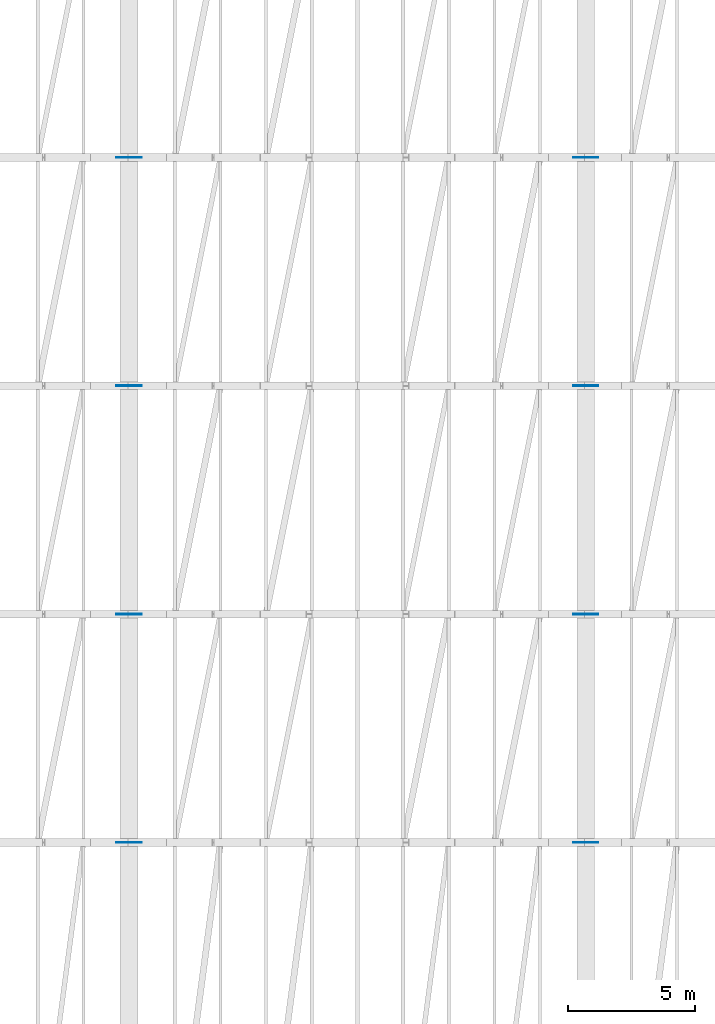
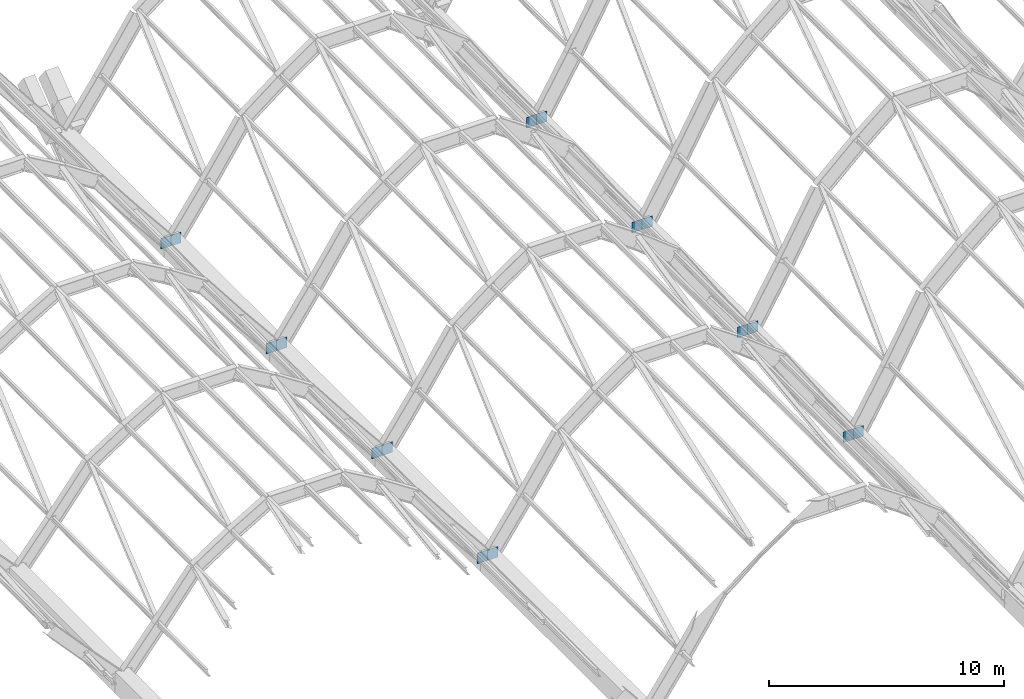
# One storey, part 70 of 86: 16 plates.
"""IFC4 building model written with IfcOpenShell, lengths in metres."""

from ifc_helpers import new_model, si_unit, direction, frame, origin, origin_2d, place, context, subcontext, project, spatial, rectangle, extrude, material, layer, layer_set, type_object, element, save


model = new_model("IFC4")

# Units and contexts
model_context = context("Model", 3, precision=1e-05, world=origin(), true_north=direction((0.0, 1.0)))
body_context = subcontext(model_context, "Body", "Model", "MODEL_VIEW")
ifc_project = project(units=[si_unit("LENGTHUNIT", "METRE"), si_unit("AREAUNIT", "SQUARE_METRE"), si_unit("VOLUMEUNIT", "CUBIC_METRE"), si_unit("PLANEANGLEUNIT", "RADIAN"), si_unit("MASSUNIT", "GRAM", prefix="KILO")], contexts=[model_context])

# Site, building, storey
site_placement = place(None, origin())
site = spatial("IfcSite", under=ifc_project, at=site_placement, CompositionType="ELEMENT")
building_placement = place(site_placement, origin())
building = spatial("IfcBuilding", under=site, at=building_placement, Name="Chuanluo Vaults Station", CompositionType="ELEMENT")
storey_placement = place(building_placement, frame((0.0, 0.0, 14.39990234375)))
storey = spatial("IfcBuildingStorey", under=building, at=storey_placement, Name="L03", CompositionType="ELEMENT", Elevation=14.39990234375)

# Plates
ifc_material = material(Name="Steel Q390C", Category="steel")
ifc_layer = layer(ifc_material, 0.028076171875)
ifc_layer_set = layer_set([ifc_layer], Name="Steel Q390C")
plate_type = type_object("IfcPlateType", Name="PLT-GUS-28", PredefinedType="USERDEFINED", material=ifc_layer_set)
for number, where, z_axis, x_axis, name in (
    (1, (35.75, 67.5, -0.875), (0.0, 0.0, 1.0), (1.0, 0.0, 0.0), "Vault V2 skewback node plate 5-E"),
    (2, (35.75, 76.5, -0.875), (0.0, 0.0, 1.0), (1.0, 0.0, 0.0), "Vault V2 skewback node plate 6-E"),
    (3, (35.75, 85.5, -0.875), (0.0, 0.0, 1.0), (1.0, 0.0, 0.0), "Vault V2 skewback node plate 7-E"),
    (4, (35.75, 94.5, -0.875), (0.0, 0.0, 1.0), (1.0, 0.0, 0.0), "Vault V2 skewback node plate 8-E"),
    (5, (36.25, 67.5, -0.875), (0.0, 0.0, 1.0), (1.0, 0.0, 0.0), "Vault V3 skewback node plate 5-W"),
    (6, (53.75, 67.5, -0.875), (0.0, 0.0, 1.0), (1.0, 0.0, 0.0), "Vault V3 skewback node plate 5-E"),
    (7, (36.25, 76.5, -0.875), (0.0, 0.0, 1.0), (1.0, 0.0, 0.0), "Vault V3 skewback node plate 6-W"),
    (8, (53.75, 76.5, -0.875), (0.0, 0.0, 1.0), (1.0, 0.0, 0.0), "Vault V3 skewback node plate 6-E"),
    (9, (36.25, 85.5, -0.875), (0.0, 0.0, 1.0), (1.0, 0.0, 0.0), "Vault V3 skewback node plate 7-W"),
    (10, (53.75, 85.5, -0.875), (0.0, 0.0, 1.0), (1.0, 0.0, 0.0), "Vault V3 skewback node plate 7-E"),
    (11, (36.25, 94.5, -0.875), (0.0, 0.0, 1.0), (1.0, 0.0, 0.0), "Vault V3 skewback node plate 8-W"),
    (12, (53.75, 94.5, -0.875), (0.0, 0.0, 1.0), (1.0, 0.0, 0.0), "Vault V3 skewback node plate 8-E"),
    (13, (54.25, 67.5, -0.875), (0.0, 0.0, 1.0), (1.0, 0.0, 0.0), "Vault V4 skewback node plate 5-W"),
    (14, (54.25, 76.5, -0.875), (0.0, 0.0, 1.0), (1.0, 0.0, 0.0), "Vault V4 skewback node plate 6-W"),
    (15, (54.25, 85.5, -0.875), (0.0, 0.0, 1.0), (1.0, 0.0, 0.0), "Vault V4 skewback node plate 7-W"),
    (16, (54.25, 94.5, -0.875), (0.0, 0.0, 1.0), (1.0, 0.0, 0.0), "Vault V4 skewback node plate 8-W"),
):
    element("IfcPlate", number, at=place(storey_placement, frame(where, z_axis=z_axis, x_axis=x_axis)), inside=storey, type_object=plate_type, Name=name, ObjectType="GUSSET_PLATE", PredefinedType="USERDEFINED", context=body_context, shape_type="SweptSolid", body=[
        extrude(rectangle(XDim=0.5, YDim=0.028076171875, at=origin_2d()), origin(), (0.0, 0.0, 1.0), 0.550048828125),
    ])

save(model, "model.ifc")
